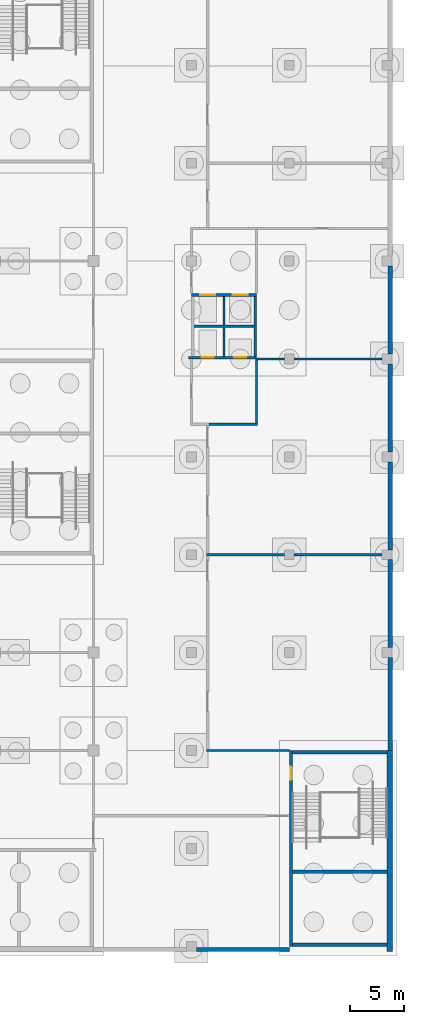
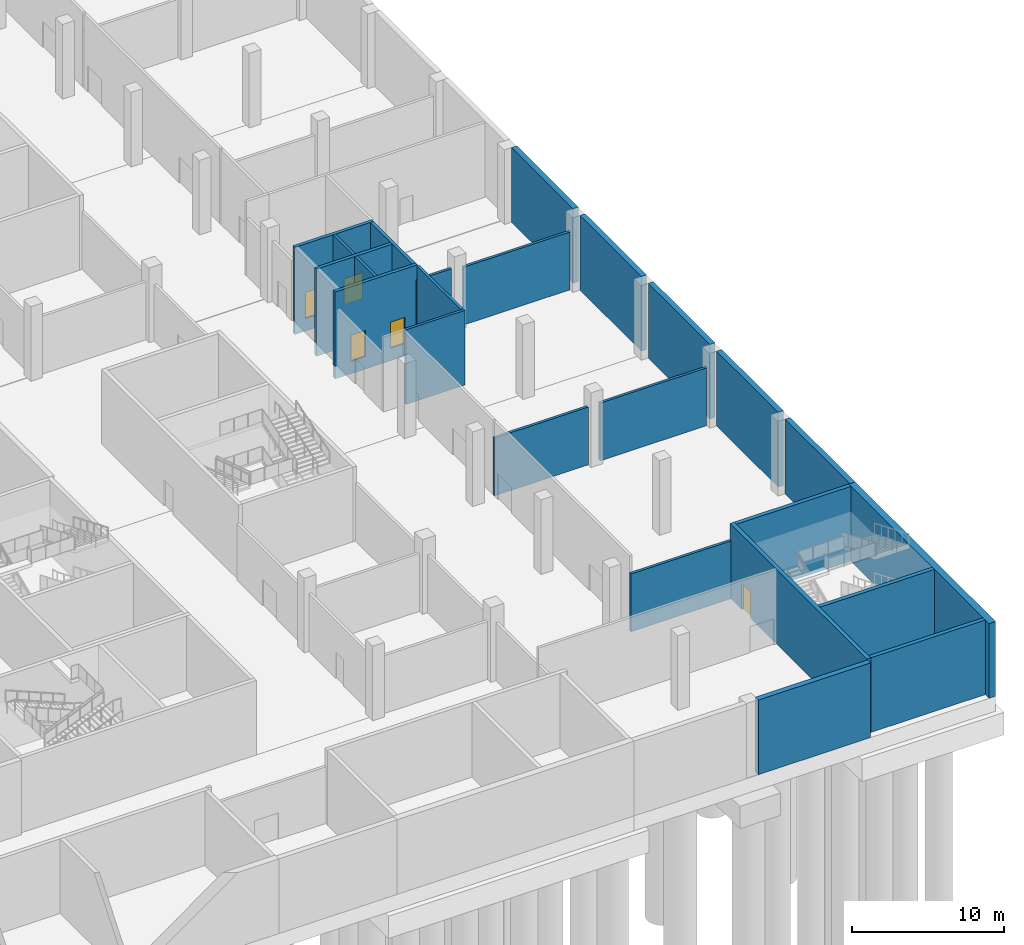
# One storey, part 19 of 42: 24 walls, 5 doors, 5 openings.
"""IFC4 building model written with IfcOpenShell, lengths in metres."""

from ifc_helpers import new_model, si_unit, direction, frame, frame_2d, origin, place, context, subcontext, project, spatial, rectangle, extrude, material, layer, layer_set, type_object, element, fill, save


model = new_model("IFC4")

# Units and contexts
model_context = context("Model", 3, precision=1e-05, world=origin(), true_north=direction((0.0, 1.0)))
body_context = subcontext(model_context, "Body", "Model", "MODEL_VIEW")
ifc_project = project(units=[si_unit("LENGTHUNIT", "METRE"), si_unit("AREAUNIT", "SQUARE_METRE"), si_unit("VOLUMEUNIT", "CUBIC_METRE"), si_unit("PLANEANGLEUNIT", "RADIAN"), si_unit("MASSUNIT", "GRAM", prefix="KILO")], contexts=[model_context])

# Site, building, storey
site_placement = place(None, origin())
site = spatial("IfcSite", under=ifc_project, at=site_placement, CompositionType="ELEMENT")
building_placement = place(site_placement, origin())
building = spatial("IfcBuilding", under=site, at=building_placement, Name="Silverbay Arena", CompositionType="ELEMENT")
storey_placement = place(building_placement, frame((0.0, 0.0, -6.0)))
storey = spatial("IfcBuildingStorey", under=building, at=storey_placement, Name="B1", CompositionType="ELEMENT", Elevation=-6.0)

# Walls
ifc_material_1 = material(Name="Concrete Grade C45", Category="concrete")
ifc_layer_1 = layer(ifc_material_1, 0.39990234375)
ifc_layer_set_1 = layer_set([ifc_layer_1], Name="Concrete Grade C45")
wall_type_1 = type_object("IfcWallType", Name="Basement perimeter wall 400", PredefinedType="SOLIDWALL", material=ifc_layer_set_1)
for number, where, z_axis, x_axis, name in (
    (1, (216.449951171875, 17.699951171875, 0.0), (0.0, 0.0, 1.0), (1.0, 0.0, 0.0), "South external wall B1 bay 22"),
    (2, (234.300048828125, 36.0, 0.0), (0.0, 0.0, 1.0), (0.0, 1.0, 0.0), "East external wall B1 bay 3"),
):
    element("IfcWall", number, at=place(storey_placement, frame(where, z_axis=z_axis, x_axis=x_axis)), inside=storey, type_object=wall_type_1, Name=name, PredefinedType="SOLIDWALL", context=body_context, shape_type="SweptSolid", body=[
        extrude(rectangle(XDim=8.550048828125, YDim=0.39990234375, at=frame_2d((4.27490234375, 0.0))), origin(), (0.0, 0.0, 1.0), 6.0),
    ])
for number, where, z_axis, x_axis, name in (
    (3, (234.300048828125, 45.449951171875, 0.0), (0.0, 0.0, 1.0), (0.0, 1.0, 0.0), "East external wall B1 bay 4"),
    (4, (234.300048828125, 54.449951171875, 0.0), (0.0, 0.0, 1.0), (0.0, 1.0, 0.0), "East external wall B1 bay 5"),
    (5, (234.300048828125, 63.449951171875, 0.0), (0.0, 0.0, 1.0), (0.0, 1.0, 0.0), "East external wall B1 bay 6"),
    (6, (234.300048828125, 72.449951171875, 0.0), (0.0, 0.0, 1.0), (0.0, 1.0, 0.0), "East external wall B1 bay 7"),
):
    element("IfcWall", number, at=place(storey_placement, frame(where, z_axis=z_axis, x_axis=x_axis)), inside=storey, type_object=wall_type_1, Name=name, PredefinedType="SOLIDWALL", context=body_context, shape_type="SweptSolid", body=[
        extrude(rectangle(XDim=8.10009765625, YDim=0.39990234375, at=frame_2d((4.050048828125, 0.0))), origin(), (0.0, 0.0, 1.0), 6.0),
    ])

# Wall, opening, door
ifc_material_2 = material(Name="Concrete Grade C45", Category="concrete")
ifc_layer_2 = layer(ifc_material_2, 0.300048828125)
ifc_layer_set_2 = layer_set([ifc_layer_2], Name="Concrete Grade C45")
wall_type_2 = type_object("IfcWallType", Name="Core wall RC 300 EI 240", PredefinedType="SHEAR", material=ifc_layer_set_2)
wall_1_placement = place(storey_placement, frame((225.14990234375, 36.0, 0.0), z_axis=(0.0, 0.0, 1.0), x_axis=(0.0, -1.0, 0.0)))
wall_1 = element("IfcWall", 7, at=wall_1_placement, inside=storey, type_object=wall_type_2, Name="Core wall ST-EG1 B1 door side", PredefinedType="SHEAR", context=body_context, shape_type="SweptSolid", body=[
    extrude(rectangle(XDim=18.0, YDim=0.300048828125, at=frame_2d((9.0, 0.0))), origin(), (0.0, 0.0, 1.0), 6.0),
])
opening_1_placement = place(wall_1_placement, frame((1.5, 0.0, 0.0)))
opening_1 = element("IfcOpeningElement", 8, at=opening_1_placement, cuts=wall_1, Name="Opening B1-098", PredefinedType="OPENING", context=body_context, shape_type="SweptSolid", body=[
    extrude(rectangle(XDim=1.199951171875, YDim=2.10009765625, at=frame_2d((0.60009765625, 1.050048828125))), frame((0.0, 0.16015625, 0.0), z_axis=(0.0, -1.0, 0.0), x_axis=(1.0, 0.0, 0.0)), (0.0, 0.0, 1.0), 0.320068359375),
])
ifc_material_3 = material(Name="Steel fire door", Category="steel")
door_type_1 = type_object("IfcDoorType", Name="Stair door 1200 x 2100 fire door", OperationType="SINGLE_SWING_LEFT", PredefinedType="DOOR", material=ifc_material_3)
door_1_placement = place(opening_1_placement, origin())
door_1 = element("IfcDoor", 9, at=door_1_placement, inside=storey, type_object=door_type_1, Name="Stair door ST-EG1 B1", OperationType="SINGLE_SWING_LEFT", OverallHeight=2.10009765625, OverallWidth=1.199951171875, PredefinedType="DOOR", context=body_context, shape_type="SweptSolid", body=[
    extrude(rectangle(XDim=1.199951171875, YDim=2.10009765625, at=frame_2d((0.60009765625, 1.050048828125))), frame((0.0, 0.02490234375, 0.0), z_axis=(0.0, -1.0, 0.0), x_axis=(1.0, 0.0, 0.0)), (0.0, 0.0, 1.0), 0.050048828125),
])
fill(opening_1, door_1)

# Walls
for number, where, z_axis, x_axis, name in (
    (10, (225.300048828125, 35.85009765625, 0.0), (0.0, 0.0, 1.0), (1.0, 0.0, 0.0), "Core wall ST-EG1 B1 end 1"),
    (11, (225.300048828125, 18.14990234375, 0.0), (0.0, 0.0, 1.0), (1.0, 0.0, 0.0), "Core wall ST-EG1 B1 end 2"),
    (12, (225.300048828125, 24.85009765625, 0.0), (0.0, 0.0, 1.0), (1.0, 0.0, 0.0), "Core wall ST-EG1 B1 stair enclosure"),
):
    element("IfcWall", number, at=place(storey_placement, frame(where, z_axis=z_axis, x_axis=x_axis)), inside=storey, type_object=wall_type_2, Name=name, PredefinedType="SHEAR", context=body_context, shape_type="SweptSolid", body=[
        extrude(rectangle(XDim=8.699951171875, YDim=0.300048828125, at=frame_2d((4.35009765625, 0.0))), origin(), (0.0, 0.0, 1.0), 6.0),
    ])
ifc_material_4 = material(Name="Concrete Grade C45", Category="concrete")
ifc_layer_3 = layer(ifc_material_4, 0.5)
ifc_layer_set_3 = layer_set([ifc_layer_3], Name="Concrete Grade C45")
wall_type_3 = type_object("IfcWallType", Name="Core wall RC 500 external EI 240", PredefinedType="SHEAR", material=ifc_layer_set_3)
wall_2_placement = place(storey_placement, frame((234.25, 36.0, 0.0), z_axis=(0.0, 0.0, 1.0), x_axis=(0.0, -1.0, 0.0)))
element("IfcWall", 13, at=wall_2_placement, inside=storey, type_object=wall_type_3, Name="Core wall ST-EG1 B1 facade side", PredefinedType="SHEAR", context=body_context, shape_type="SweptSolid", body=[
    extrude(rectangle(XDim=18.5, YDim=0.5, at=frame_2d((9.25, 0.0))), origin(), (0.0, 0.0, 1.0), 6.0),
])
ifc_material_5 = material(Name="Concrete Grade C45", Category="concrete")
ifc_layer_4 = layer(ifc_material_5, 0.199951171875)
ifc_layer_set_4 = layer_set([ifc_layer_4], Name="Concrete Grade C45")
wall_type_4 = type_object("IfcWallType", Name="Lift shaft divider RC 200 EI 240", PredefinedType="SHEAR", material=ifc_layer_set_4)
for number, where, z_axis, x_axis, name in (
    (14, (219.0, 72.25, -1.0), (0.0, 0.0, 1.0), (0.0, 1.0, 0.0), "Lift shaft divider LB-EG B1 s"),
    (15, (219.0, 75.125, -1.0), (0.0, 0.0, 1.0), (0.0, 1.0, 0.0), "Lift shaft divider LB-EG B1 n"),
):
    element("IfcWall", number, at=place(storey_placement, frame(where, z_axis=z_axis, x_axis=x_axis)), inside=storey, type_object=wall_type_4, Name=name, PredefinedType="SHEAR", context=body_context, shape_type="SweptSolid", body=[
        extrude(rectangle(XDim=2.625, YDim=0.199951171875, at=frame_2d((1.3125, 0.0))), origin(), (0.0, 0.0, 1.0), 7.0),
    ])

# Wall, openings, doors
ifc_material_6 = material(Name="Concrete Grade C45", Category="concrete")
ifc_layer_5 = layer(ifc_material_6, 0.25)
ifc_layer_set_5 = layer_set([ifc_layer_5], Name="Concrete Grade C45")
wall_type_5 = type_object("IfcWallType", Name="Lift shaft wall RC 250 EI 240", PredefinedType="SHEAR", material=ifc_layer_set_5)
wall_3_placement = place(storey_placement, frame((215.75, 72.125, -1.0), z_axis=(0.0, 0.0, 1.0), x_axis=(1.0, 0.0, 0.0)))
wall_3 = element("IfcWall", 16, at=wall_3_placement, inside=storey, type_object=wall_type_5, Name="Lift shaft wall LB-EG B1 south", PredefinedType="SHEAR", context=body_context, shape_type="SweptSolid", body=[
    extrude(rectangle(XDim=6.25, YDim=0.25, at=frame_2d((3.125, 0.0))), origin(), (0.0, 0.0, 1.0), 7.0),
])
opening_2_placement = place(wall_3_placement, frame((1.199951171875, 0.0, 1.0)))
opening_2 = element("IfcOpeningElement", 17, at=opening_2_placement, cuts=wall_3, Name="Opening B1-116", PredefinedType="OPENING", context=body_context, shape_type="SweptSolid", body=[
    extrude(rectangle(XDim=1.10009765625, YDim=2.10009765625, at=frame_2d((0.550048828125, 1.050048828125))), frame((0.0, 0.135009765625, 0.0), z_axis=(0.0, -1.0, 0.0), x_axis=(1.0, 0.0, 0.0)), (0.0, 0.0, 1.0), 0.27001953125),
])
opening_3_placement = place(wall_3_placement, frame((4.199951171875, 0.0, 1.0)))
opening_3 = element("IfcOpeningElement", 18, at=opening_3_placement, cuts=wall_3, Name="Opening B1-117", PredefinedType="OPENING", context=body_context, shape_type="SweptSolid", body=[
    extrude(rectangle(XDim=1.10009765625, YDim=2.10009765625, at=frame_2d((0.550048828125, 1.050048828125))), frame((0.0, 0.135009765625, 0.0), z_axis=(0.0, -1.0, 0.0), x_axis=(1.0, 0.0, 0.0)), (0.0, 0.0, 1.0), 0.27001953125),
])
ifc_material_7 = material(Name="Stainless steel", Category="steel")
door_type_2 = type_object("IfcDoorType", Name="LD1 lift landing door 1100 x 2100", OperationType="DOUBLE_DOOR_SLIDING", PredefinedType="DOOR", material=ifc_material_7)
door_2_placement = place(opening_2_placement, origin())
door_2 = element("IfcDoor", 19, at=door_2_placement, inside=storey, type_object=door_type_2, Name="Lift landing door LF20 B1", OperationType="DOUBLE_DOOR_SLIDING", OverallHeight=2.10009765625, OverallWidth=1.10009765625, PredefinedType="DOOR", context=body_context, shape_type="SweptSolid", body=[
    extrude(rectangle(XDim=1.10009765625, YDim=2.10009765625, at=frame_2d((0.550048828125, 1.050048828125))), frame((0.0, 0.02490234375, 0.0), z_axis=(0.0, -1.0, 0.0), x_axis=(1.0, 0.0, 0.0)), (0.0, 0.0, 1.0), 0.050048828125),
])
fill(opening_2, door_2)
door_3_placement = place(opening_3_placement, origin())
door_3 = element("IfcDoor", 20, at=door_3_placement, inside=storey, type_object=door_type_2, Name="Lift landing door LF21 B1", OperationType="DOUBLE_DOOR_SLIDING", OverallHeight=2.10009765625, OverallWidth=1.10009765625, PredefinedType="DOOR", context=body_context, shape_type="SweptSolid", body=[
    extrude(rectangle(XDim=1.10009765625, YDim=2.10009765625, at=frame_2d((0.550048828125, 1.050048828125))), frame((0.0, 0.02490234375, 0.0), z_axis=(0.0, -1.0, 0.0), x_axis=(1.0, 0.0, 0.0)), (0.0, 0.0, 1.0), 0.050048828125),
])
fill(opening_3, door_3)

wall_4_placement = place(storey_placement, frame((216.0, 77.875, -1.0), z_axis=(0.0, 0.0, 1.0), x_axis=(1.0, 0.0, 0.0)))
wall_4 = element("IfcWall", 21, at=wall_4_placement, inside=storey, type_object=wall_type_5, Name="Lift shaft wall LB-EG B1 north", PredefinedType="SHEAR", context=body_context, shape_type="SweptSolid", body=[
    extrude(rectangle(XDim=6.0, YDim=0.25, at=frame_2d((3.0, 0.0))), origin(), (0.0, 0.0, 1.0), 7.0),
])
opening_4_placement = place(wall_4_placement, frame((0.800048828125, 0.0, 1.0)))
opening_4 = element("IfcOpeningElement", 22, at=opening_4_placement, cuts=wall_4, Name="Opening B1-118", PredefinedType="OPENING", context=body_context, shape_type="SweptSolid", body=[
    extrude(rectangle(XDim=1.39990234375, YDim=2.10009765625, at=frame_2d((0.699951171875, 1.050048828125))), frame((0.0, 0.135009765625, 0.0), z_axis=(0.0, -1.0, 0.0), x_axis=(1.0, 0.0, 0.0)), (0.0, 0.0, 1.0), 0.27001953125),
])
opening_5_placement = place(wall_4_placement, frame((3.800048828125, 0.0, 1.0)))
opening_5 = element("IfcOpeningElement", 23, at=opening_5_placement, cuts=wall_4, Name="Opening B1-119", PredefinedType="OPENING", context=body_context, shape_type="SweptSolid", body=[
    extrude(rectangle(XDim=1.39990234375, YDim=2.10009765625, at=frame_2d((0.699951171875, 1.050048828125))), frame((0.0, 0.135009765625, 0.0), z_axis=(0.0, -1.0, 0.0), x_axis=(1.0, 0.0, 0.0)), (0.0, 0.0, 1.0), 0.27001953125),
])
ifc_material_8 = material(Name="Stainless steel", Category="steel")
door_type_3 = type_object("IfcDoorType", Name="LD2 lift landing door 1400 x 2100", OperationType="DOUBLE_DOOR_SLIDING", PredefinedType="DOOR", material=ifc_material_8)
door_4_placement = place(opening_4_placement, origin())
door_4 = element("IfcDoor", 24, at=door_4_placement, inside=storey, type_object=door_type_3, Name="Lift landing door LF22 B1", OperationType="DOUBLE_DOOR_SLIDING", OverallHeight=2.10009765625, OverallWidth=1.39990234375, PredefinedType="DOOR", context=body_context, shape_type="SweptSolid", body=[
    extrude(rectangle(XDim=1.39990234375, YDim=2.10009765625, at=frame_2d((0.699951171875, 1.050048828125))), frame((0.0, 0.02490234375, 0.0), z_axis=(0.0, -1.0, 0.0), x_axis=(1.0, 0.0, 0.0)), (0.0, 0.0, 1.0), 0.050048828125),
])
fill(opening_4, door_4)
door_5_placement = place(opening_5_placement, origin())
door_5 = element("IfcDoor", 25, at=door_5_placement, inside=storey, type_object=door_type_3, Name="Lift landing door LF23 B1", OperationType="DOUBLE_DOOR_SLIDING", OverallHeight=2.10009765625, OverallWidth=1.39990234375, PredefinedType="DOOR", context=body_context, shape_type="SweptSolid", body=[
    extrude(rectangle(XDim=1.39990234375, YDim=2.10009765625, at=frame_2d((0.699951171875, 1.050048828125))), frame((0.0, 0.02490234375, 0.0), z_axis=(0.0, -1.0, 0.0), x_axis=(1.0, 0.0, 0.0)), (0.0, 0.0, 1.0), 0.050048828125),
])
fill(opening_5, door_5)

# Walls
wall_5_placement = place(storey_placement, frame((216.0, 75.0, -1.0), z_axis=(0.0, 0.0, 1.0), x_axis=(1.0, 0.0, 0.0)))
element("IfcWall", 26, at=wall_5_placement, inside=storey, type_object=wall_type_5, Name="Lift shaft wall LB-EG B1 middle", PredefinedType="SHEAR", context=body_context, shape_type="SweptSolid", body=[
    extrude(rectangle(XDim=6.0, YDim=0.25, at=frame_2d((3.0, 0.0))), origin(), (0.0, 0.0, 1.0), 7.0),
])
wall_6_placement = place(storey_placement, frame((221.875, 72.25, -1.0), z_axis=(0.0, 0.0, 1.0), x_axis=(0.0, 1.0, 0.0)))
element("IfcWall", 27, at=wall_6_placement, inside=storey, type_object=wall_type_5, Name="Lift shaft wall LB-EG B1 end", PredefinedType="SHEAR", context=body_context, shape_type="SweptSolid", body=[
    extrude(rectangle(XDim=5.5, YDim=0.25, at=frame_2d((2.75, 0.0))), origin(), (0.0, 0.0, 1.0), 7.0),
])
ifc_material_9 = material(Name="Masonry blockwork partition", Category="masonry")
ifc_layer_6 = layer(ifc_material_9, 0.199951171875)
ifc_layer_set_6 = layer_set([ifc_layer_6], Name="Masonry blockwork partition")
wall_type_6 = type_object("IfcWallType", Name="Partition 200 EI 240", PredefinedType="PARTITIONING", material=ifc_layer_set_6)
wall_7_placement = place(storey_placement, frame((217.39990234375, 36.0, 0.0), z_axis=(0.0, 0.0, 1.0), x_axis=(1.0, 0.0, 0.0)))
element("IfcWall", 28, at=wall_7_placement, inside=storey, type_object=wall_type_6, Name="Partition wall", PredefinedType="PARTITIONING", context=body_context, shape_type="SweptSolid", body=[
    extrude(rectangle(XDim=7.60009765625, YDim=0.199951171875, at=frame_2d((3.800048828125, 0.0))), origin(), (0.0, 0.0, 1.0), 4.64990234375),
])
wall_8_placement = place(storey_placement, frame((225.449951171875, 54.0, 0.0), z_axis=(0.0, 0.0, 1.0), x_axis=(1.0, 0.0, 0.0)))
element("IfcWall", 29, at=wall_8_placement, inside=storey, type_object=wall_type_6, Name="Partition wall", PredefinedType="PARTITIONING", context=body_context, shape_type="SweptSolid", body=[
    extrude(rectangle(XDim=8.10009765625, YDim=0.199951171875, at=frame_2d((4.050048828125, 0.0))), origin(), (0.0, 0.0, 1.0), 4.64990234375),
])
wall_9_placement = place(storey_placement, frame((217.39990234375, 54.0, 0.0), z_axis=(0.0, 0.0, 1.0), x_axis=(1.0, 0.0, 0.0)))
element("IfcWall", 30, at=wall_9_placement, inside=storey, type_object=wall_type_6, Name="Partition wall", PredefinedType="PARTITIONING", context=body_context, shape_type="SweptSolid", body=[
    extrude(rectangle(XDim=7.150146484375, YDim=0.199951171875, at=frame_2d((3.5751953125, 0.0))), origin(), (0.0, 0.0, 1.0), 4.64990234375),
])
wall_10_placement = place(storey_placement, frame((217.60009765625, 66.0, 0.0), z_axis=(0.0, 0.0, 1.0), x_axis=(1.0, 0.0, 0.0)))
element("IfcWall", 31, at=wall_10_placement, inside=storey, type_object=wall_type_6, Name="Partition wall", PredefinedType="PARTITIONING", context=body_context, shape_type="SweptSolid", body=[
    extrude(rectangle(XDim=4.5, YDim=0.199951171875, at=frame_2d((2.25, 0.0))), origin(), (0.0, 0.0, 1.0), 6.0),
])
wall_11_placement = place(storey_placement, frame((225.449951171875, 72.0, 0.0), z_axis=(0.0, 0.0, 1.0), x_axis=(1.0, 0.0, 0.0)))
element("IfcWall", 32, at=wall_11_placement, inside=storey, type_object=wall_type_6, Name="Partition wall", PredefinedType="PARTITIONING", context=body_context, shape_type="SweptSolid", body=[
    extrude(rectangle(XDim=8.10009765625, YDim=0.199951171875, at=frame_2d((4.050048828125, 0.0))), origin(), (0.0, 0.0, 1.0), 4.64990234375),
])
wall_12_placement = place(storey_placement, frame((221.89990234375, 72.0, 0.0), z_axis=(0.0, 0.0, 1.0), x_axis=(1.0, 0.0, 0.0)))
element("IfcWall", 33, at=wall_12_placement, inside=storey, type_object=wall_type_6, Name="Partition wall", PredefinedType="PARTITIONING", context=body_context, shape_type="SweptSolid", body=[
    extrude(rectangle(XDim=2.650146484375, YDim=0.199951171875, at=frame_2d((1.3251953125, 0.0))), origin(), (0.0, 0.0, 1.0), 4.85009765625),
])
wall_13_placement = place(storey_placement, frame((222.0, 66.10009765625, 0.0), z_axis=(0.0, 0.0, 1.0), x_axis=(0.0, 1.0, 0.0)))
element("IfcWall", 34, at=wall_13_placement, inside=storey, type_object=wall_type_6, Name="Partition wall", PredefinedType="PARTITIONING", context=body_context, shape_type="SweptSolid", body=[
    extrude(rectangle(XDim=5.7998046875, YDim=0.199951171875, at=frame_2d((2.89990234375, 0.0))), origin(), (0.0, 0.0, 1.0), 6.0),
])

save(model, "model.ifc")
